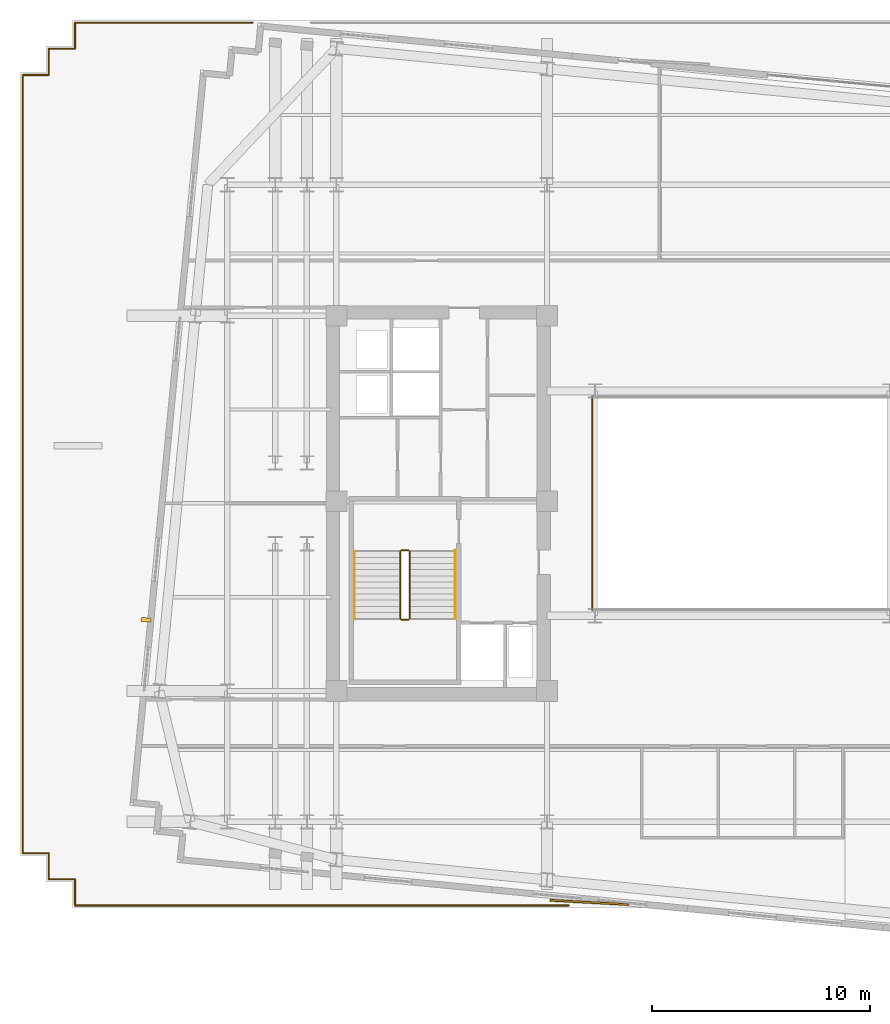
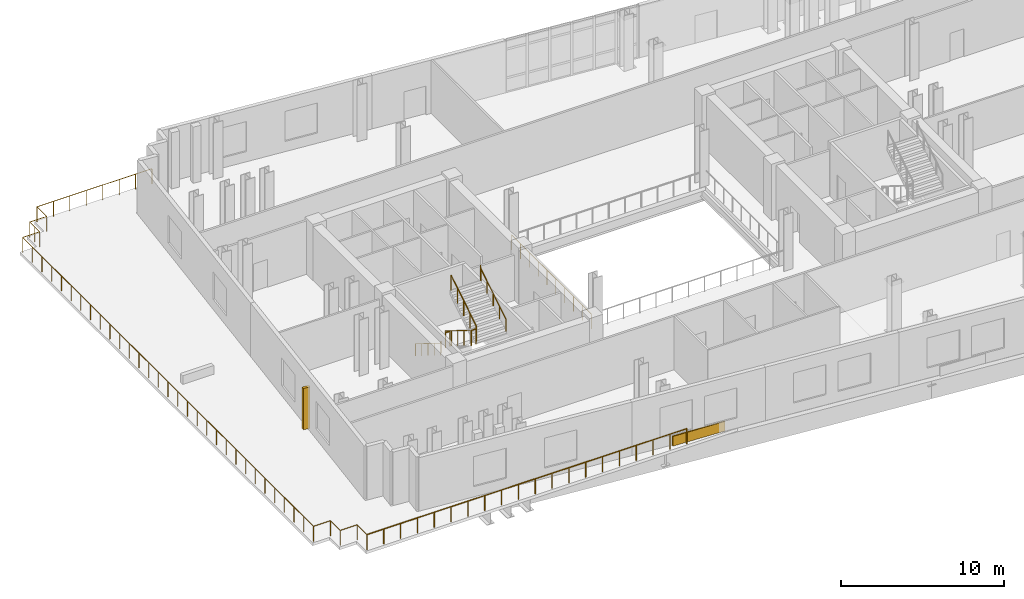
# One storey, part 9 of 11: 9 railings, 1 covering, 1 shading device.
"""IFC4 building model written with IfcOpenShell, lengths in metres."""

from ifc_helpers import new_model, si_unit, direction, frame, origin, origin_2d, place, context, subcontext, project, spatial, rectangle, circle, extrude, material, layer, layer_set, type_object, element, save


model = new_model("IFC4")

# Units and contexts
model_context = context("Model", 3, precision=1e-05, world=origin(), true_north=direction((0.0, 1.0)))
body_context = subcontext(model_context, "Body", "Model", "MODEL_VIEW")
ifc_project = project(units=[si_unit("LENGTHUNIT", "METRE"), si_unit("AREAUNIT", "SQUARE_METRE"), si_unit("VOLUMEUNIT", "CUBIC_METRE"), si_unit("PLANEANGLEUNIT", "RADIAN"), si_unit("MASSUNIT", "GRAM", prefix="KILO")], contexts=[model_context])

# Site, building, storey
site_placement = place(None, origin())
site = spatial("IfcSite", under=ifc_project, at=site_placement, CompositionType="ELEMENT")
building_placement = place(site_placement, origin())
building = spatial("IfcBuilding", under=site, at=building_placement, Name="Velakula Bourse", CompositionType="ELEMENT")
storey_placement = place(building_placement, frame((0.0, 0.0, 156.199951171875)))
storey = spatial("IfcBuildingStorey", under=building, at=storey_placement, Name="L42", CompositionType="ELEMENT", Elevation=156.199951171875)

# Covering
ifc_material_1 = material(Name="Buff kilned clay facing brick masonry", Category="masonry")
ifc_layer = layer(ifc_material_1, 0.074951171875, Name="Buff kilned clay facing brick masonry", Category="masonry")
ifc_layer_set = layer_set([ifc_layer], Name="Buff kilned clay facing brick masonry")
covering_type = type_object("IfcCoveringType", Name="COV-BRK-SPN-75", PredefinedType="CLADDING", material=ifc_layer_set)
covering_placement = place(storey_placement, frame((-7.01220703125, -18.288330078125, 0.0), z_axis=(0.0, 0.0, 1.0), x_axis=(0.998489097451, -0.054950179912, 0.0)))
element("IfcCovering", 1, at=covering_placement, inside=storey, type_object=covering_type, Name="L42 Folded Brick Facade Cladding Panel S-B2", PredefinedType="CLADDING", context=body_context, shape_type="SweptSolid", body=[
    extrude(rectangle(XDim=3.60009765625, YDim=0.090087890625, at=origin_2d()), origin(), (0.0, 0.0, 1.0), 0.719970703125),
])

# Railings
ifc_material_2 = material(Name="Brushed grade 316 stainless steel", Category="steel")
railing_type_1 = type_object("IfcRailingType", Name="RLG-ATRIUM-1150", PredefinedType="BALUSTRADE", material=ifc_material_2)
railing_1_placement = place(storey_placement, frame((-6.8798828125, 4.8798828125, 0.0)))
element("IfcRailing", 2, at=railing_1_placement, inside=storey, type_object=railing_type_1, Name="L42 Central Trading Atrium Balustrade W", PredefinedType="BALUSTRADE", context=body_context, shape_type="SweptSolid", body=[
    extrude(circle(Radius=0.02392578125, at=origin_2d()), frame((0.0, 0.0, 1.1259765625), z_axis=(0.0, -1.0, 0.0), x_axis=(1.0, 0.0, 0.0)), (0.0, 0.0, 1.0), 9.759765625),
    extrude(circle(Radius=0.02099609375, at=origin_2d()), origin(), (0.0, 0.0, 1.0), 1.101806640625),
    extrude(circle(Radius=0.02099609375, at=origin_2d()), frame((0.0, -1.08447265625, 0.0)), (0.0, 0.0, 1.0), 1.101806640625),
    extrude(circle(Radius=0.02099609375, at=origin_2d()), frame((0.0, -2.1689453125, 0.0)), (0.0, 0.0, 1.0), 1.101806640625),
    extrude(circle(Radius=0.02099609375, at=origin_2d()), frame((0.0, -3.253173828125, 0.0)), (0.0, 0.0, 1.0), 1.101806640625),
    extrude(circle(Radius=0.02099609375, at=origin_2d()), frame((0.0, -4.337646484375, 0.0)), (0.0, 0.0, 1.0), 1.101806640625),
    extrude(circle(Radius=0.02099609375, at=origin_2d()), frame((0.0, -5.422119140625, 0.0)), (0.0, 0.0, 1.0), 1.101806640625),
    extrude(circle(Radius=0.02099609375, at=origin_2d()), frame((0.0, -6.506591796875, 0.0)), (0.0, 0.0, 1.0), 1.101806640625),
    extrude(circle(Radius=0.02099609375, at=origin_2d()), frame((0.0, -7.5908203125, 0.0)), (0.0, 0.0, 1.0), 1.101806640625),
    extrude(circle(Radius=0.02099609375, at=origin_2d()), frame((0.0, -8.67529296875, 0.0)), (0.0, 0.0, 1.0), 1.101806640625),
    extrude(circle(Radius=0.02099609375, at=origin_2d()), frame((0.0, -9.759765625, 0.0)), (0.0, 0.0, 1.0), 1.101806640625),
])
railing_type_2 = type_object("IfcRailingType", Name="RLG-STAIR-GUARD-1150", PredefinedType="BALUSTRADE", material=ifc_material_2)
railing_2_placement = place(storey_placement, frame((-15.672119140625, -2.199951171875, 0.175048828125)))
element("IfcRailing", 3, at=railing_2_placement, inside=storey, type_object=railing_type_2, Name="L42 ST-W1 stair guard 1", PredefinedType="BALUSTRADE", context=body_context, shape_type="SweptSolid", body=[
    extrude(circle(Radius=0.02490234375, at=origin_2d()), frame((0.0, 0.0, 1.125), z_axis=(0.0, -0.847998304005, 0.529998940003), x_axis=(1.0, 0.0, 0.0)), (0.0, 0.0, 1.0), 3.632080078125),
    extrude(circle(Radius=0.02099609375, at=origin_2d()), origin(), (0.0, 0.0, 1.0), 1.099853515625),
    extrude(circle(Radius=0.02099609375, at=origin_2d()), frame((0.0, -0.77001953125, 0.481201171875)), (0.0, 0.0, 1.0), 1.099853515625),
    extrude(circle(Radius=0.02099609375, at=origin_2d()), frame((0.0, -1.5400390625, 0.96240234375)), (0.0, 0.0, 1.0), 1.099853515625),
    extrude(circle(Radius=0.02099609375, at=origin_2d()), frame((0.0, -2.31005859375, 1.44384765625)), (0.0, 0.0, 1.0), 1.099853515625),
    extrude(circle(Radius=0.02099609375, at=origin_2d()), frame((0.0, -3.080078125, 1.925048828125)), (0.0, 0.0, 1.0), 1.099853515625),
])
railing_3_placement = place(storey_placement, frame((-15.6220703125, -5.330078125, 2.10009765625)))
element("IfcRailing", 4, at=railing_3_placement, inside=storey, type_object=railing_type_2, Name="L42 ST-W1 stair guard 2", PredefinedType="BALUSTRADE", context=body_context, shape_type="SweptSolid", body=[
    extrude(circle(Radius=0.02490234375, at=origin_2d()), frame((0.0, 0.0, 1.125), z_axis=(1.0, 0.0, 0.0), x_axis=(0.0, 1.0, 0.0)), (0.0, 0.0, 1.0), 0.323974609375),
    extrude(circle(Radius=0.02099609375, at=origin_2d()), origin(), (0.0, 0.0, 1.0), 1.099853515625),
    extrude(circle(Radius=0.02099609375, at=origin_2d()), frame((0.323974609375, 0.0, 0.0)), (0.0, 0.0, 1.0), 1.099853515625),
])
railing_4_placement = place(storey_placement, frame((-15.248046875, -5.280029296875, 2.275146484375)))
element("IfcRailing", 5, at=railing_4_placement, inside=storey, type_object=railing_type_2, Name="L42 ST-W1 stair guard 3", PredefinedType="BALUSTRADE", context=body_context, shape_type="SweptSolid", body=[
    extrude(circle(Radius=0.02490234375, at=origin_2d()), frame((0.0, 0.0, 1.125), z_axis=(0.0, 0.848028513186, 0.529950602248), x_axis=(-1.0, 0.0, 0.0)), (0.0, 0.0, 1.0), 3.632080078125),
    extrude(circle(Radius=0.02099609375, at=origin_2d()), origin(), (0.0, 0.0, 1.0), 1.099853515625),
    extrude(circle(Radius=0.02099609375, at=origin_2d()), frame((0.0, 0.77001953125, 0.481201171875)), (0.0, 0.0, 1.0), 1.099853515625),
    extrude(circle(Radius=0.02099609375, at=origin_2d()), frame((0.0, 1.5400390625, 0.96240234375)), (0.0, 0.0, 1.0), 1.099853515625),
    extrude(circle(Radius=0.02099609375, at=origin_2d()), frame((0.0, 2.31005859375, 1.443603515625)), (0.0, 0.0, 1.0), 1.099853515625),
    extrude(circle(Radius=0.02099609375, at=origin_2d()), frame((0.0, 3.080078125, 1.9248046875)), (0.0, 0.0, 1.0), 1.099853515625),
])
railing_5_placement = place(storey_placement, frame((-15.6220703125, -2.14990234375, 0.0)))
element("IfcRailing", 6, at=railing_5_placement, inside=storey, type_object=railing_type_2, Name="L42 ST-W1 stair guard 4", PredefinedType="BALUSTRADE", context=body_context, shape_type="SweptSolid", body=[
    extrude(circle(Radius=0.02490234375, at=origin_2d()), frame((0.0, 0.0, 1.125), z_axis=(1.0, 0.0, 0.0), x_axis=(0.0, 1.0, 0.0)), (0.0, 0.0, 1.0), 0.323974609375),
    extrude(circle(Radius=0.02099609375, at=origin_2d()), origin(), (0.0, 0.0, 1.0), 1.099853515625),
    extrude(circle(Radius=0.02099609375, at=origin_2d()), frame((0.323974609375, 0.0, 0.0)), (0.0, 0.0, 1.0), 1.099853515625),
])
railing_type_3 = type_object("IfcRailingType", Name="RLG-STAIR-HAND-920", PredefinedType="HANDRAIL", material=ifc_material_2)
railing_6_placement = place(storey_placement, frame((-17.77001953125, -2.199951171875, 0.175048828125)))
element("IfcRailing", 7, at=railing_6_placement, inside=storey, type_object=railing_type_3, Name="L42 ST-W1 stair handrail 1", PredefinedType="HANDRAIL", context=body_context, shape_type="SweptSolid", body=[
    extrude(circle(Radius=0.02099609375, at=origin_2d()), frame((0.0, 0.0, 0.89892578125), z_axis=(0.0, -0.847998304005, 0.529998940003), x_axis=(1.0, 0.0, 0.0)), (0.0, 0.0, 1.0), 3.632080078125),
    extrude(circle(Radius=0.02099609375, at=origin_2d()), frame((0.0, -3.080078125, 2.823974609375), z_axis=(0.0, -0.222972465624, 0.974824743004), x_axis=(1.0, 0.0, 0.0)), (0.0, 0.0, 1.0), 0.1796875),
    extrude(circle(Radius=0.02099609375, at=origin_2d()), frame((0.0, -3.1201171875, 2.9990234375), z_axis=(0.0, -1.0, 0.0), x_axis=(1.0, 0.0, 0.0)), (0.0, 0.0, 1.0), 0.0048828125),
    extrude(circle(Radius=0.02099609375, at=origin_2d()), origin(), (0.0, 0.0, 1.0), 0.8779296875),
    extrude(circle(Radius=0.02099609375, at=origin_2d()), frame((0.0, -0.77001953125, 0.481201171875)), (0.0, 0.0, 1.0), 0.8779296875),
    extrude(circle(Radius=0.02099609375, at=origin_2d()), frame((0.0, -1.5400390625, 0.96240234375)), (0.0, 0.0, 1.0), 0.8779296875),
    extrude(circle(Radius=0.02099609375, at=origin_2d()), frame((0.0, -2.31005859375, 1.44384765625)), (0.0, 0.0, 1.0), 0.8779296875),
    extrude(circle(Radius=0.02099609375, at=origin_2d()), frame((0.0, -3.080078125, 1.925048828125)), (0.0, 0.0, 1.0), 0.8779296875),
    extrude(circle(Radius=0.02099609375, at=origin_2d()), frame((0.0, -3.1201171875, 2.10009765625)), (0.0, 0.0, 1.0), 0.8779296875),
    extrude(circle(Radius=0.02099609375, at=origin_2d()), frame((0.0, -3.125, 2.10009765625)), (0.0, 0.0, 1.0), 0.8779296875),
])
railing_7_placement = place(storey_placement, frame((-13.14990234375, -5.280029296875, 2.275146484375)))
element("IfcRailing", 8, at=railing_7_placement, inside=storey, type_object=railing_type_3, Name="L42 ST-W1 stair handrail 2", PredefinedType="HANDRAIL", context=body_context, shape_type="SweptSolid", body=[
    extrude(circle(Radius=0.02099609375, at=origin_2d()), frame((0.0, 0.0, 0.89892578125), z_axis=(0.0, 0.848028513186, 0.529950602248), x_axis=(-1.0, 0.0, 0.0)), (0.0, 0.0, 1.0), 3.632080078125),
    extrude(circle(Radius=0.02099609375, at=origin_2d()), frame((0.0, 3.080078125, 2.82373046875), z_axis=(0.0, 0.222972465624, 0.974824743004), x_axis=(-1.0, 0.0, 0.0)), (0.0, 0.0, 1.0), 0.1796875),
    extrude(circle(Radius=0.02099609375, at=origin_2d()), frame((0.0, 3.1201171875, 2.998779296875), z_axis=(0.0, 1.0, 0.0), x_axis=(-1.0, 0.0, 0.0)), (0.0, 0.0, 1.0), 0.0048828125),
    extrude(circle(Radius=0.02099609375, at=origin_2d()), origin(), (0.0, 0.0, 1.0), 0.8779296875),
    extrude(circle(Radius=0.02099609375, at=origin_2d()), frame((0.0, 0.77001953125, 0.481201171875)), (0.0, 0.0, 1.0), 0.8779296875),
    extrude(circle(Radius=0.02099609375, at=origin_2d()), frame((0.0, 1.5400390625, 0.96240234375)), (0.0, 0.0, 1.0), 0.8779296875),
    extrude(circle(Radius=0.02099609375, at=origin_2d()), frame((0.0, 2.31005859375, 1.443603515625)), (0.0, 0.0, 1.0), 0.8779296875),
    extrude(circle(Radius=0.02099609375, at=origin_2d()), frame((0.0, 3.080078125, 1.9248046875)), (0.0, 0.0, 1.0), 0.8779296875),
    extrude(circle(Radius=0.02099609375, at=origin_2d()), frame((0.0, 3.1201171875, 2.099853515625)), (0.0, 0.0, 1.0), 0.8779296875),
    extrude(circle(Radius=0.02099609375, at=origin_2d()), frame((0.0, 3.125, 2.099853515625)), (0.0, 0.0, 1.0), 0.8779296875),
])
ifc_material_3 = material(Name="Anodised bronze architectural aluminium", Category="aluminium")
railing_type_4 = type_object("IfcRailingType", Name="RLG-TERR-1150", PredefinedType="BALUSTRADE", material=ifc_material_3)
railing_8_placement = place(storey_placement, frame((-30.580078125, -18.429931640625, 0.0)))
element("IfcRailing", 9, at=railing_8_placement, inside=storey, type_object=railing_type_4, Name="L42 Sky-Garden Perimeter Balustrade 1", PredefinedType="BALUSTRADE", context=body_context, shape_type="SweptSolid", body=[
    extrude(circle(Radius=0.02392578125, at=origin_2d()), frame((0.0, 0.0, 1.1259765625), z_axis=(0.0, 1.0, 0.0), x_axis=(-1.0, 0.0, 0.0)), (0.0, 0.0, 1.0), 1.199951171875),
    extrude(circle(Radius=0.02392578125, at=origin_2d()), frame((0.0, 1.199951171875, 1.1259765625), z_axis=(-1.0, 0.0, 0.0), x_axis=(0.0, -1.0, 0.0)), (0.0, 0.0, 1.0), 1.199951171875),
    extrude(circle(Radius=0.02392578125, at=origin_2d()), frame((-1.199951171875, 1.199951171875, 1.1259765625), z_axis=(0.0, 1.0, 0.0), x_axis=(-1.0, 0.0, 0.0)), (0.0, 0.0, 1.0), 1.199951171875),
    extrude(circle(Radius=0.02392578125, at=origin_2d()), frame((-1.199951171875, 2.39990234375, 1.1259765625), z_axis=(-1.0, 0.0, 0.0), x_axis=(0.0, -1.0, 0.0)), (0.0, 0.0, 1.0), 1.199951171875),
    extrude(circle(Radius=0.02392578125, at=origin_2d()), frame((-2.39990234375, 2.39990234375, 1.1259765625), z_axis=(0.0, 1.0, 0.0), x_axis=(-1.0, 0.0, 0.0)), (0.0, 0.0, 1.0), 35.659912109375),
    extrude(circle(Radius=0.02392578125, at=origin_2d()), frame((-2.39990234375, 38.059814453125, 1.1259765625), z_axis=(1.0, 0.0, 0.0), x_axis=(0.0, 1.0, 0.0)), (0.0, 0.0, 1.0), 1.199951171875),
    extrude(circle(Radius=0.02392578125, at=origin_2d()), frame((-1.199951171875, 38.059814453125, 1.1259765625), z_axis=(0.0, 1.0, 0.0), x_axis=(-1.0, 0.0, 0.0)), (0.0, 0.0, 1.0), 1.2001953125),
    extrude(circle(Radius=0.02392578125, at=origin_2d()), frame((-1.199951171875, 39.260009765625, 1.1259765625), z_axis=(1.0, 0.0, 0.0), x_axis=(0.0, 1.0, 0.0)), (0.0, 0.0, 1.0), 1.199951171875),
    extrude(circle(Radius=0.02392578125, at=origin_2d()), frame((0.0, 39.260009765625, 1.1259765625), z_axis=(0.0, 1.0, 0.0), x_axis=(-1.0, 0.0, 0.0)), (0.0, 0.0, 1.0), 1.199951171875),
    extrude(circle(Radius=0.02392578125, at=origin_2d()), frame((0.0, 40.4599609375, 1.1259765625), z_axis=(1.0, 0.0, 0.0), x_axis=(0.0, 1.0, 0.0)), (0.0, 0.0, 1.0), 8.14111328125),
    extrude(circle(Radius=0.02099609375, at=origin_2d()), origin(), (0.0, 0.0, 1.0), 1.101806640625),
    extrude(circle(Radius=0.02099609375, at=origin_2d()), frame((0.0, 1.199951171875, 0.0)), (0.0, 0.0, 1.0), 1.101806640625),
    extrude(circle(Radius=0.02099609375, at=origin_2d()), frame((-1.199951171875, 1.199951171875, 0.0)), (0.0, 0.0, 1.0), 1.101806640625),
    extrude(circle(Radius=0.02099609375, at=origin_2d()), frame((-1.199951171875, 2.39990234375, 0.0)), (0.0, 0.0, 1.0), 1.101806640625),
    extrude(circle(Radius=0.02099609375, at=origin_2d()), frame((-2.39990234375, 2.39990234375, 0.0)), (0.0, 0.0, 1.0), 1.101806640625),
    extrude(circle(Radius=0.02099609375, at=origin_2d()), frame((-2.39990234375, 3.588623046875, 0.0)), (0.0, 0.0, 1.0), 1.101806640625),
    extrude(circle(Radius=0.02099609375, at=origin_2d()), frame((-2.39990234375, 4.77734375, 0.0)), (0.0, 0.0, 1.0), 1.101806640625),
    extrude(circle(Radius=0.02099609375, at=origin_2d()), frame((-2.39990234375, 5.9658203125, 0.0)), (0.0, 0.0, 1.0), 1.101806640625),
    extrude(circle(Radius=0.02099609375, at=origin_2d()), frame((-2.39990234375, 7.154541015625, 0.0)), (0.0, 0.0, 1.0), 1.101806640625),
    extrude(circle(Radius=0.02099609375, at=origin_2d()), frame((-2.39990234375, 8.34326171875, 0.0)), (0.0, 0.0, 1.0), 1.101806640625),
    extrude(circle(Radius=0.02099609375, at=origin_2d()), frame((-2.39990234375, 9.531982421875, 0.0)), (0.0, 0.0, 1.0), 1.101806640625),
    extrude(circle(Radius=0.02099609375, at=origin_2d()), frame((-2.39990234375, 10.720458984375, 0.0)), (0.0, 0.0, 1.0), 1.101806640625),
    extrude(circle(Radius=0.02099609375, at=origin_2d()), frame((-2.39990234375, 11.9091796875, 0.0)), (0.0, 0.0, 1.0), 1.101806640625),
    extrude(circle(Radius=0.02099609375, at=origin_2d()), frame((-2.39990234375, 13.097900390625, 0.0)), (0.0, 0.0, 1.0), 1.101806640625),
    extrude(circle(Radius=0.02099609375, at=origin_2d()), frame((-2.39990234375, 14.28662109375, 0.0)), (0.0, 0.0, 1.0), 1.101806640625),
    extrude(circle(Radius=0.02099609375, at=origin_2d()), frame((-2.39990234375, 15.47509765625, 0.0)), (0.0, 0.0, 1.0), 1.101806640625),
    extrude(circle(Radius=0.02099609375, at=origin_2d()), frame((-2.39990234375, 16.663818359375, 0.0)), (0.0, 0.0, 1.0), 1.101806640625),
    extrude(circle(Radius=0.02099609375, at=origin_2d()), frame((-2.39990234375, 17.8525390625, 0.0)), (0.0, 0.0, 1.0), 1.101806640625),
    extrude(circle(Radius=0.02099609375, at=origin_2d()), frame((-2.39990234375, 19.041259765625, 0.0)), (0.0, 0.0, 1.0), 1.101806640625),
    extrude(circle(Radius=0.02099609375, at=origin_2d()), frame((-2.39990234375, 20.22998046875, 0.0)), (0.0, 0.0, 1.0), 1.101806640625),
    extrude(circle(Radius=0.02099609375, at=origin_2d()), frame((-2.39990234375, 21.41845703125, 0.0)), (0.0, 0.0, 1.0), 1.101806640625),
    extrude(circle(Radius=0.02099609375, at=origin_2d()), frame((-2.39990234375, 22.607177734375, 0.0)), (0.0, 0.0, 1.0), 1.101806640625),
    extrude(circle(Radius=0.02099609375, at=origin_2d()), frame((-2.39990234375, 23.7958984375, 0.0)), (0.0, 0.0, 1.0), 1.101806640625),
    extrude(circle(Radius=0.02099609375, at=origin_2d()), frame((-2.39990234375, 24.984619140625, 0.0)), (0.0, 0.0, 1.0), 1.101806640625),
    extrude(circle(Radius=0.02099609375, at=origin_2d()), frame((-2.39990234375, 26.173095703125, 0.0)), (0.0, 0.0, 1.0), 1.101806640625),
    extrude(circle(Radius=0.02099609375, at=origin_2d()), frame((-2.39990234375, 27.36181640625, 0.0)), (0.0, 0.0, 1.0), 1.101806640625),
    extrude(circle(Radius=0.02099609375, at=origin_2d()), frame((-2.39990234375, 28.550537109375, 0.0)), (0.0, 0.0, 1.0), 1.101806640625),
    extrude(circle(Radius=0.02099609375, at=origin_2d()), frame((-2.39990234375, 29.7392578125, 0.0)), (0.0, 0.0, 1.0), 1.101806640625),
    extrude(circle(Radius=0.02099609375, at=origin_2d()), frame((-2.39990234375, 30.927734375, 0.0)), (0.0, 0.0, 1.0), 1.101806640625),
    extrude(circle(Radius=0.02099609375, at=origin_2d()), frame((-2.39990234375, 32.116455078125, 0.0)), (0.0, 0.0, 1.0), 1.101806640625),
    extrude(circle(Radius=0.02099609375, at=origin_2d()), frame((-2.39990234375, 33.30517578125, 0.0)), (0.0, 0.0, 1.0), 1.101806640625),
    extrude(circle(Radius=0.02099609375, at=origin_2d()), frame((-2.39990234375, 34.493896484375, 0.0)), (0.0, 0.0, 1.0), 1.101806640625),
    extrude(circle(Radius=0.02099609375, at=origin_2d()), frame((-2.39990234375, 35.682373046875, 0.0)), (0.0, 0.0, 1.0), 1.101806640625),
    extrude(circle(Radius=0.02099609375, at=origin_2d()), frame((-2.39990234375, 36.87109375, 0.0)), (0.0, 0.0, 1.0), 1.101806640625),
    extrude(circle(Radius=0.02099609375, at=origin_2d()), frame((-2.39990234375, 38.059814453125, 0.0)), (0.0, 0.0, 1.0), 1.101806640625),
    extrude(circle(Radius=0.02099609375, at=origin_2d()), frame((-1.199951171875, 38.059814453125, 0.0)), (0.0, 0.0, 1.0), 1.101806640625),
    extrude(circle(Radius=0.02099609375, at=origin_2d()), frame((-1.199951171875, 38.659912109375, 0.0)), (0.0, 0.0, 1.0), 1.101806640625),
    extrude(circle(Radius=0.02099609375, at=origin_2d()), frame((-1.199951171875, 39.260009765625, 0.0)), (0.0, 0.0, 1.0), 1.101806640625),
    extrude(circle(Radius=0.02099609375, at=origin_2d()), frame((0.0, 39.260009765625, 0.0)), (0.0, 0.0, 1.0), 1.101806640625),
    extrude(circle(Radius=0.02099609375, at=origin_2d()), frame((0.0, 40.4599609375, 0.0)), (0.0, 0.0, 1.0), 1.101806640625),
    extrude(circle(Radius=0.02099609375, at=origin_2d()), frame((1.1630859375, 40.4599609375, 0.0)), (0.0, 0.0, 1.0), 1.101806640625),
    extrude(circle(Radius=0.02099609375, at=origin_2d()), frame((2.325927734375, 40.4599609375, 0.0)), (0.0, 0.0, 1.0), 1.101806640625),
    extrude(circle(Radius=0.02099609375, at=origin_2d()), frame((3.489013671875, 40.4599609375, 0.0)), (0.0, 0.0, 1.0), 1.101806640625),
    extrude(circle(Radius=0.02099609375, at=origin_2d()), frame((4.652099609375, 40.4599609375, 0.0)), (0.0, 0.0, 1.0), 1.101806640625),
    extrude(circle(Radius=0.02099609375, at=origin_2d()), frame((5.815185546875, 40.4599609375, 0.0)), (0.0, 0.0, 1.0), 1.101806640625),
    extrude(circle(Radius=0.02099609375, at=origin_2d()), frame((6.97802734375, 40.4599609375, 0.0)), (0.0, 0.0, 1.0), 1.101806640625),
    extrude(circle(Radius=0.02099609375, at=origin_2d()), frame((8.14111328125, 40.4599609375, 0.0)), (0.0, 0.0, 1.0), 1.101806640625),
])
railing_9_placement = place(storey_placement, frame((-7.94091796875, -18.429931640625, 0.0)))
element("IfcRailing", 10, at=railing_9_placement, inside=storey, type_object=railing_type_4, Name="L42 Sky-Garden Perimeter Balustrade 2", PredefinedType="BALUSTRADE", context=body_context, shape_type="SweptSolid", body=[
    extrude(circle(Radius=0.02392578125, at=origin_2d()), frame((0.0, 0.0, 1.1259765625), z_axis=(-1.0, 0.0, 0.0), x_axis=(0.0, -1.0, 0.0)), (0.0, 0.0, 1.0), 22.63916015625),
    extrude(circle(Radius=0.02099609375, at=origin_2d()), origin(), (0.0, 0.0, 1.0), 1.101806640625),
    extrude(circle(Radius=0.02099609375, at=origin_2d()), frame((-1.191650390625, 0.0, 0.0)), (0.0, 0.0, 1.0), 1.101806640625),
    extrude(circle(Radius=0.02099609375, at=origin_2d()), frame((-2.383056640625, 0.0, 0.0)), (0.0, 0.0, 1.0), 1.101806640625),
    extrude(circle(Radius=0.02099609375, at=origin_2d()), frame((-3.57470703125, 0.0, 0.0)), (0.0, 0.0, 1.0), 1.101806640625),
    extrude(circle(Radius=0.02099609375, at=origin_2d()), frame((-4.76611328125, 0.0, 0.0)), (0.0, 0.0, 1.0), 1.101806640625),
    extrude(circle(Radius=0.02099609375, at=origin_2d()), frame((-5.957763671875, 0.0, 0.0)), (0.0, 0.0, 1.0), 1.101806640625),
    extrude(circle(Radius=0.02099609375, at=origin_2d()), frame((-7.149169921875, 0.0, 0.0)), (0.0, 0.0, 1.0), 1.101806640625),
    extrude(circle(Radius=0.02099609375, at=origin_2d()), frame((-8.3408203125, 0.0, 0.0)), (0.0, 0.0, 1.0), 1.101806640625),
    extrude(circle(Radius=0.02099609375, at=origin_2d()), frame((-9.5322265625, 0.0, 0.0)), (0.0, 0.0, 1.0), 1.101806640625),
    extrude(circle(Radius=0.02099609375, at=origin_2d()), frame((-10.723876953125, 0.0, 0.0)), (0.0, 0.0, 1.0), 1.101806640625),
    extrude(circle(Radius=0.02099609375, at=origin_2d()), frame((-11.915283203125, 0.0, 0.0)), (0.0, 0.0, 1.0), 1.101806640625),
    extrude(circle(Radius=0.02099609375, at=origin_2d()), frame((-13.10693359375, 0.0, 0.0)), (0.0, 0.0, 1.0), 1.101806640625),
    extrude(circle(Radius=0.02099609375, at=origin_2d()), frame((-14.29833984375, 0.0, 0.0)), (0.0, 0.0, 1.0), 1.101806640625),
    extrude(circle(Radius=0.02099609375, at=origin_2d()), frame((-15.489990234375, 0.0, 0.0)), (0.0, 0.0, 1.0), 1.101806640625),
    extrude(circle(Radius=0.02099609375, at=origin_2d()), frame((-16.681396484375, 0.0, 0.0)), (0.0, 0.0, 1.0), 1.101806640625),
    extrude(circle(Radius=0.02099609375, at=origin_2d()), frame((-17.873046875, 0.0, 0.0)), (0.0, 0.0, 1.0), 1.101806640625),
    extrude(circle(Radius=0.02099609375, at=origin_2d()), frame((-19.064453125, 0.0, 0.0)), (0.0, 0.0, 1.0), 1.101806640625),
    extrude(circle(Radius=0.02099609375, at=origin_2d()), frame((-20.256103515625, 0.0, 0.0)), (0.0, 0.0, 1.0), 1.101806640625),
    extrude(circle(Radius=0.02099609375, at=origin_2d()), frame((-21.447509765625, 0.0, 0.0)), (0.0, 0.0, 1.0), 1.101806640625),
    extrude(circle(Radius=0.02099609375, at=origin_2d()), frame((-22.63916015625, 0.0, 0.0)), (0.0, 0.0, 1.0), 1.101806640625),
])

# Shading device
shading_device_type = type_object("IfcShadingDeviceType", Name="SHD-FIN-450", PredefinedType="USERDEFINED", material=ifc_material_3)
shading_device_placement = place(storey_placement, frame((-27.324462890625, -5.3369140625, 0.0), z_axis=(0.0, 0.0, 1.0), x_axis=(0.995396198367, -0.09584575252, 0.0)))
element("IfcShadingDevice", 11, at=shading_device_placement, inside=storey, type_object=shading_device_type, Name="L42 Vertical Bronze Solar Shading Fin W", ObjectType="FIN", PredefinedType="USERDEFINED", context=body_context, shape_type="SweptSolid", body=[
    extrude(rectangle(XDim=0.449951171875, YDim=0.179931640625, at=origin_2d()), origin(), (0.0, 0.0, 1.0), 3.10009765625),
])

save(model, "model.ifc")
